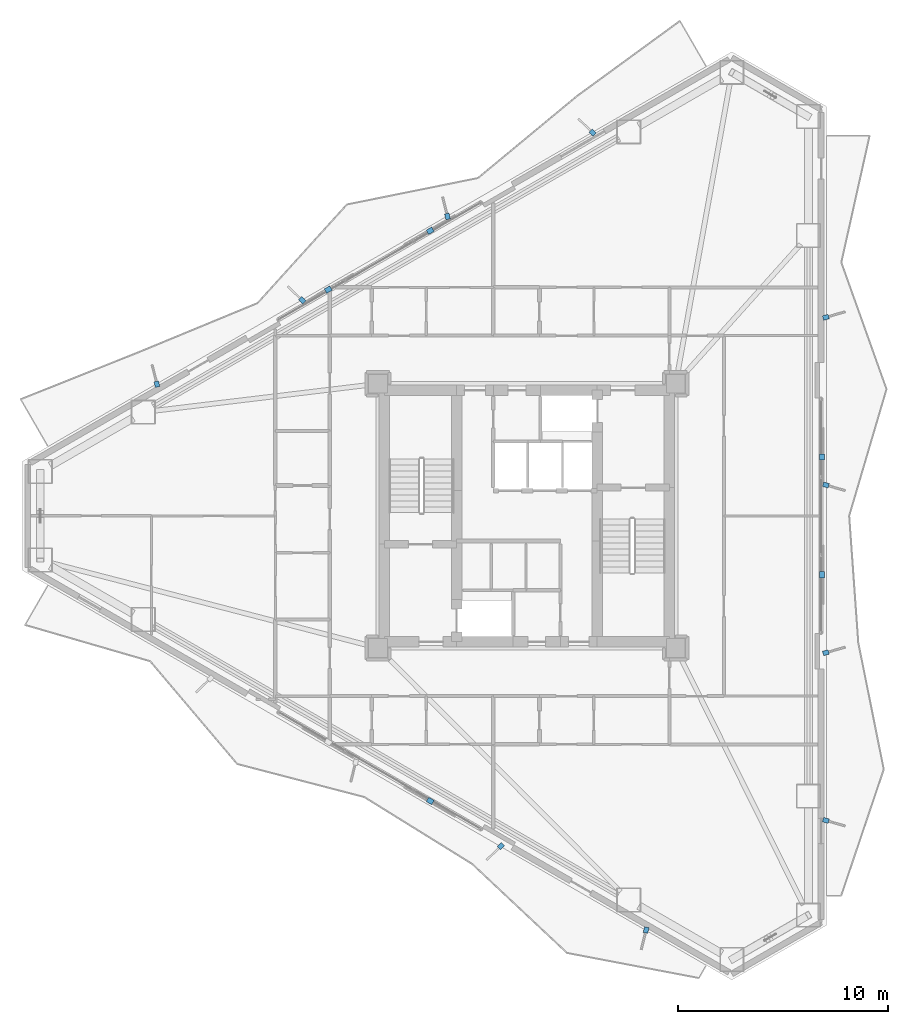
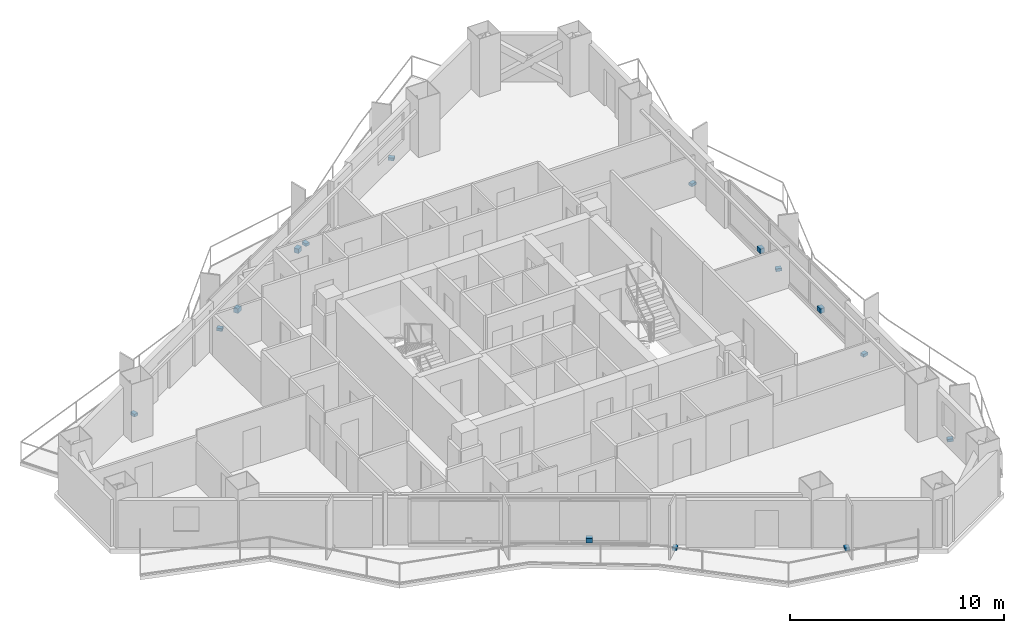
# One storey, part 21 of 23: 15 discrete accessories.
"""IFC4 building model written with IfcOpenShell, lengths in metres."""

from ifc_helpers import new_model, si_unit, direction, frame, origin, origin_2d, place, context, subcontext, project, spatial, rectangle, extrude, material, layer, layer_set, type_object, element, save


model = new_model("IFC4")

# Units and contexts
model_context = context("Model", 3, precision=1e-05, world=origin(), true_north=direction((0.0, 1.0)))
body_context = subcontext(model_context, "Body", "Model", "MODEL_VIEW")
ifc_project = project(units=[si_unit("LENGTHUNIT", "METRE"), si_unit("AREAUNIT", "SQUARE_METRE"), si_unit("VOLUMEUNIT", "CUBIC_METRE"), si_unit("PLANEANGLEUNIT", "RADIAN"), si_unit("MASSUNIT", "GRAM", prefix="KILO")], contexts=[model_context])

# Site, building, storey
site_placement = place(None, origin())
site = spatial("IfcSite", under=ifc_project, at=site_placement, CompositionType="ELEMENT")
building_placement = place(site_placement, origin())
building = spatial("IfcBuilding", under=site, at=building_placement, Name="Mersakhor Tower and Convention Hall", CompositionType="ELEMENT")
storey_placement = place(building_placement, frame((0.0, 0.0, 93.300048828125)))
storey = spatial("IfcBuildingStorey", under=building, at=storey_placement, Name="L25", CompositionType="ELEMENT", Elevation=93.300048828125)

# Discrete accessories
ifc_material = material(Name="Galvanised steel bracket", Category="steel")
ifc_layer = layer(ifc_material, 0.02001953125)
ifc_layer_set = layer_set([ifc_layer], Name="Galvanised steel bracket")
discrete_accessory_type = type_object("IfcDiscreteAccessoryType", Name="ACC-BRK-STL", PredefinedType="BRACKET", material=ifc_layer_set)
for number, where, z_axis, x_axis, name in (
    (1, (19.5263671875, 37.5439453125, 0.2900390625), (0.0, 0.0, 1.0), (0.866025403784, 0.5, 0.0), "L25 Solar Screen Outrigger Bracket BRK-1-1"),
    (2, (24.388916015625, 40.351318359375, 0.2900390625), (0.0, 0.0, 1.0), (0.866025403784, 0.5, 0.0), "L25 Solar Screen Outrigger Bracket BRK-1-2"),
):
    element("IfcDiscreteAccessory", number, at=place(storey_placement, frame(where, z_axis=z_axis, x_axis=x_axis)), inside=storey, type_object=discrete_accessory_type, Name=name, PredefinedType="BRACKET", context=body_context, shape_type="SweptSolid", body=[
        extrude(rectangle(XDim=0.300048828125, YDim=0.239990234375, at=origin_2d()), origin(), (0.0, 0.0, 1.0), 0.260009765625),
    ])
for number, where, z_axis, x_axis, name in (
    (3, (11.355224609375, 33.0341796875, -0.02001953125), (0.0, 0.0, 1.0), (-0.2419218956, 0.970295726276, 0.0), "L25 Facade Fin Base Cleat Bracket FBRK-1-1"),
    (4, (18.283447265625, 37.0341796875, -0.02001953125), (0.0, 0.0, 1.0), (-0.719339800339, 0.694658370459, 0.0), "L25 Facade Fin Base Cleat Bracket FBRK-1-2"),
    (5, (25.211669921875, 41.0341796875, -0.02001953125), (0.0, 0.0, 1.0), (-0.2419218956, 0.970295726276, 0.0), "L25 Facade Fin Base Cleat Bracket FBRK-1-3"),
    (6, (32.139892578125, 45.0341796875, -0.02001953125), (0.0, 0.0, 1.0), (-0.719339800339, 0.694658370459, 0.0), "L25 Facade Fin Base Cleat Bracket FBRK-1-4"),
):
    element("IfcDiscreteAccessory", number, at=place(storey_placement, frame(where, z_axis=z_axis, x_axis=x_axis)), inside=storey, type_object=discrete_accessory_type, Name=name, PredefinedType="BRACKET", context=body_context, shape_type="SweptSolid", body=[
        extrude(rectangle(XDim=0.280029296875, YDim=0.219970703125, at=origin_2d()), origin(), (0.0, 0.0, 1.0), 0.159912109375),
    ])
for number, where, z_axis, x_axis, name in (
    (7, (43.084716796875, 29.557373046875, 0.2900390625), (0.0, 0.0, 1.0), (0.0, -1.0, 0.0), "L25 Solar Screen Outrigger Bracket BRK-2-1"),
    (8, (43.084716796875, 23.942626953125, 0.2900390625), (0.0, 0.0, 1.0), (0.0, -1.0, 0.0), "L25 Solar Screen Outrigger Bracket BRK-2-2"),
):
    element("IfcDiscreteAccessory", number, at=place(storey_placement, frame(where, z_axis=z_axis, x_axis=x_axis)), inside=storey, type_object=discrete_accessory_type, Name=name, PredefinedType="BRACKET", context=body_context, shape_type="SweptSolid", body=[
        extrude(rectangle(XDim=0.300048828125, YDim=0.239990234375, at=origin_2d()), origin(), (0.0, 0.0, 1.0), 0.260009765625),
    ])
for number, where, z_axis, x_axis, name in (
    (9, (43.2646484375, 36.221923828125, -0.02001953125), (0.0, 0.0, 1.0), (0.961261695938, 0.275637355817, 0.0), "L25 Facade Fin Base Cleat Bracket FBRK-2-1"),
    (10, (43.2646484375, 28.221923828125, -0.02001953125), (0.0, 0.0, 1.0), (0.961261695938, -0.275637355817, 0.0), "L25 Facade Fin Base Cleat Bracket FBRK-2-2"),
    (11, (43.2646484375, 20.221923828125, -0.02001953125), (0.0, 0.0, 1.0), (0.961261695938, 0.275637355817, 0.0), "L25 Facade Fin Base Cleat Bracket FBRK-2-3"),
    (12, (43.2646484375, 12.221923828125, -0.02001953125), (0.0, 0.0, 1.0), (0.961261695938, -0.275637355817, 0.0), "L25 Facade Fin Base Cleat Bracket FBRK-2-4"),
):
    element("IfcDiscreteAccessory", number, at=place(storey_placement, frame(where, z_axis=z_axis, x_axis=x_axis)), inside=storey, type_object=discrete_accessory_type, Name=name, PredefinedType="BRACKET", context=body_context, shape_type="SweptSolid", body=[
        extrude(rectangle(XDim=0.280029296875, YDim=0.219970703125, at=origin_2d()), origin(), (0.0, 0.0, 1.0), 0.159912109375),
    ])
discrete_accessory_placement = place(storey_placement, frame((24.388916015625, 13.148681640625, 0.2900390625), z_axis=(0.0, 0.0, 1.0), x_axis=(-0.866025403784, 0.5, 0.0)))
element("IfcDiscreteAccessory", 13, at=discrete_accessory_placement, inside=storey, type_object=discrete_accessory_type, Name="L25 Solar Screen Outrigger Bracket BRK-3-1", PredefinedType="BRACKET", context=body_context, shape_type="SweptSolid", body=[
    extrude(rectangle(XDim=0.300048828125, YDim=0.239990234375, at=origin_2d()), origin(), (0.0, 0.0, 1.0), 0.260009765625),
])
for number, where, z_axis, x_axis, name in (
    (14, (34.689453125, 6.993896484375, -0.02001953125), (0.0, 0.0, 1.0), (-0.2419218956, -0.970295726276, 0.0), "L25 Facade Fin Base Cleat Bracket FBRK-3-1"),
    (15, (27.76123046875, 10.993896484375, -0.02001953125), (0.0, 0.0, 1.0), (-0.719339800339, -0.694658370459, 0.0), "L25 Facade Fin Base Cleat Bracket FBRK-3-2"),
):
    element("IfcDiscreteAccessory", number, at=place(storey_placement, frame(where, z_axis=z_axis, x_axis=x_axis)), inside=storey, type_object=discrete_accessory_type, Name=name, PredefinedType="BRACKET", context=body_context, shape_type="SweptSolid", body=[
        extrude(rectangle(XDim=0.280029296875, YDim=0.219970703125, at=origin_2d()), origin(), (0.0, 0.0, 1.0), 0.159912109375),
    ])

save(model, "model.ifc")
